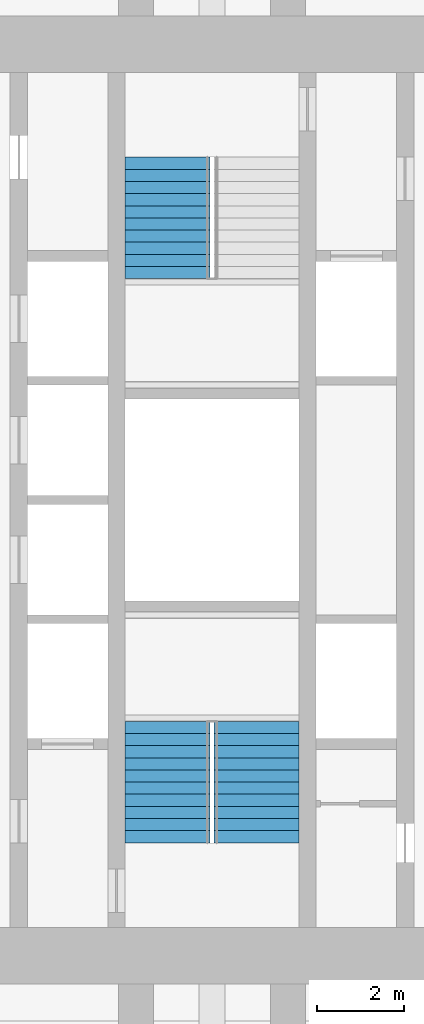
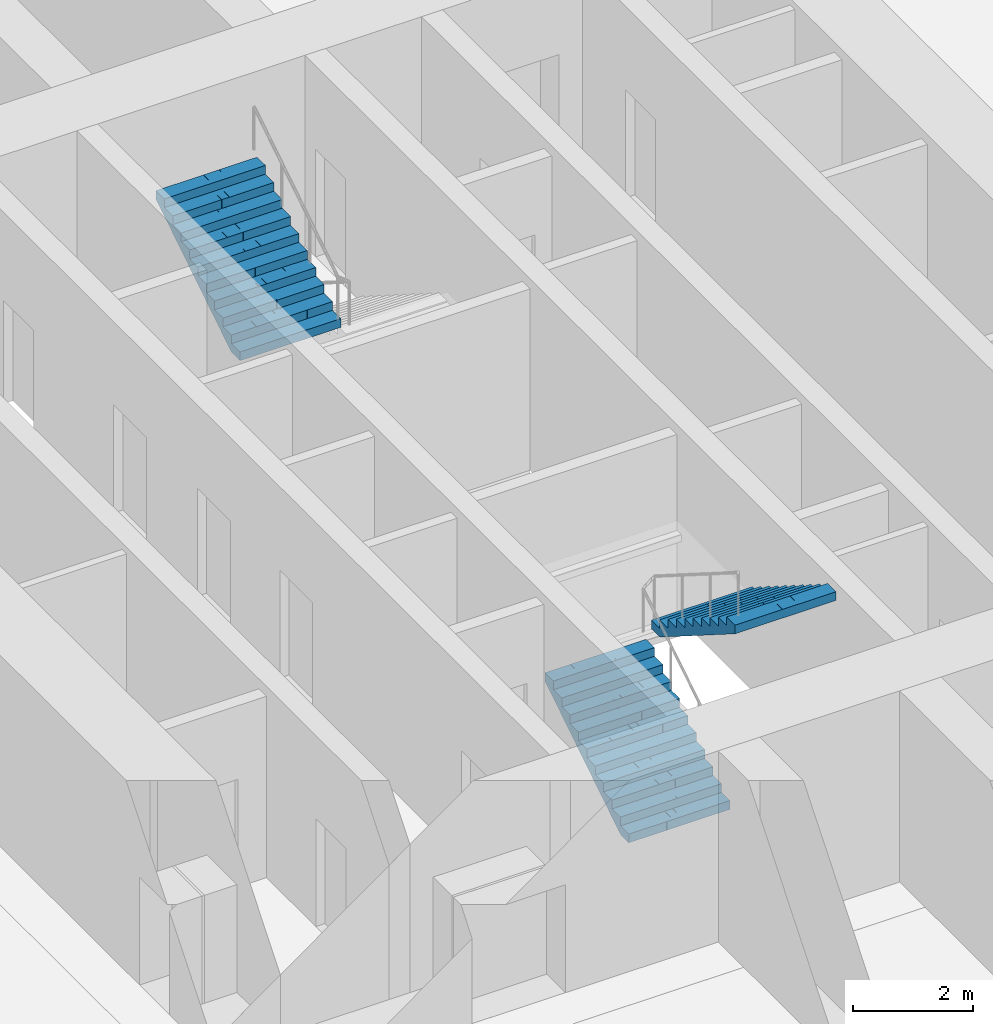
# One storey, part 18 of 20: 3 stair flights, 2 elements without a shape of their own.
"""IFC4 building model written with IfcOpenShell, lengths in metres."""

from ifc_helpers import new_model, si_unit, direction, frame, origin, place, context, subcontext, project, spatial, polyline, outline, extrude, material, type_object, element, aggregate, save


model = new_model("IFC4")

# Units and contexts
model_context = context("Model", 3, precision=1e-05, world=origin(), true_north=direction((0.0, 1.0)))
body_context = subcontext(model_context, "Body", "Model", "MODEL_VIEW")
ifc_project = project(units=[si_unit("LENGTHUNIT", "METRE"), si_unit("AREAUNIT", "SQUARE_METRE"), si_unit("VOLUMEUNIT", "CUBIC_METRE"), si_unit("PLANEANGLEUNIT", "RADIAN"), si_unit("MASSUNIT", "GRAM", prefix="KILO")], contexts=[model_context])

# Site, building, storey
site_placement = place(None, origin())
site = spatial("IfcSite", under=ifc_project, at=site_placement, CompositionType="ELEMENT")
building_placement = place(site_placement, origin())
building = spatial("IfcBuilding", under=site, at=building_placement, Name="Mizan Broadcast Tower", CompositionType="ELEMENT")
storey_placement = place(building_placement, frame((0.0, 0.0, 135.89990234375)))
storey = spatial("IfcBuildingStorey", under=building, at=storey_placement, Name="L30", CompositionType="ELEMENT", Elevation=135.89990234375)

# Stair, stair flights
ifc_material_1 = material(Name="Concrete C40/50", Category="concrete")
stair_type = type_object("IfcStairType", Name="EXIT STAIR", PredefinedType="HALF_TURN_STAIR", material=ifc_material_1)
stair_1_placement = place(storey_placement, origin())
stair_1 = element("IfcStair", 1, at=stair_1_placement, inside=storey, type_object=stair_type, Name="Stair A L30", PredefinedType="HALF_TURN_STAIR")
ifc_material_2 = material(Name="Concrete C40/50", Category="concrete")
stair_flight_type = type_object("IfcStairFlightType", Name="EXIT STAIR FLIGHT", PredefinedType="STRAIGHT", material=ifc_material_2)
stair_flight_1_placement = place(storey_placement, frame((-1.02490234375, -7.89990234375, 0.0), z_axis=(0.0, 0.0, 1.0), x_axis=(0.0, 1.0, 0.0)))
stair_flight_1 = element("IfcStairFlight", 2, at=stair_flight_1_placement, type_object=stair_flight_type, Name="A flight 1", NumberOfRisers=11, NumberOfTreads=10, PredefinedType="STRAIGHT", RiserHeight=0.177272727, TreadLength=0.28, context=body_context, shape_type="SweptSolid", body=[
    extrude(outline(polyline([(0.0, 0.0), (0.0, 0.17724609375), (0.280029296875, 0.17724609375), (0.280029296875, 0.3544921875), (0.56005859375, 0.3544921875), (0.56005859375, 0.53173828125), (0.840087890625, 0.53173828125), (0.840087890625, 0.708984375), (1.1201171875, 0.708984375), (1.1201171875, 0.886474609375), (1.39990234375, 0.886474609375), (1.39990234375, 1.063720703125), (1.679931640625, 1.063720703125), (1.679931640625, 1.240966796875), (1.9599609375, 1.240966796875), (1.9599609375, 1.418212890625), (2.239990234375, 1.418212890625), (2.239990234375, 1.595458984375), (2.52001953125, 1.595458984375), (2.52001953125, 1.772705078125), (2.800048828125, 1.772705078125), (2.800048828125, 1.949951171875), (2.800048828125, 1.59521484375), (0.2802734375, 0.0), (0.0, 0.0)])), frame((0.0, 0.97509765625, 0.0), z_axis=(0.0, -1.0, 0.0), x_axis=(1.0, 0.0, 0.0)), (0.0, 0.0, 1.0), 0.4873046875),
    extrude(outline(polyline([(0.0, 0.0), (0.0, 0.17724609375), (0.280029296875, 0.17724609375), (0.280029296875, 0.3544921875), (0.56005859375, 0.3544921875), (0.56005859375, 0.53173828125), (0.840087890625, 0.53173828125), (0.840087890625, 0.708984375), (1.1201171875, 0.708984375), (1.1201171875, 0.886474609375), (1.39990234375, 0.886474609375), (1.39990234375, 1.063720703125), (1.679931640625, 1.063720703125), (1.679931640625, 1.240966796875), (1.9599609375, 1.240966796875), (1.9599609375, 1.418212890625), (2.239990234375, 1.418212890625), (2.239990234375, 1.595458984375), (2.52001953125, 1.595458984375), (2.52001953125, 1.772705078125), (2.800048828125, 1.772705078125), (2.800048828125, 1.949951171875), (2.800048828125, 1.59521484375), (0.2802734375, 0.0), (0.0, 0.0)])), frame((0.0, 0.4873046875, 0.0), z_axis=(0.0, -1.0, 0.0), x_axis=(1.0, 0.0, 0.0)), (0.0, 0.0, 1.0), 0.2431640625),
    extrude(outline(polyline([(0.0, 0.0), (0.0, 0.17724609375), (0.280029296875, 0.17724609375), (0.280029296875, 0.3544921875), (0.56005859375, 0.3544921875), (0.56005859375, 0.53173828125), (0.840087890625, 0.53173828125), (0.840087890625, 0.708984375), (1.1201171875, 0.708984375), (1.1201171875, 0.886474609375), (1.39990234375, 0.886474609375), (1.39990234375, 1.063720703125), (1.679931640625, 1.063720703125), (1.679931640625, 1.240966796875), (1.9599609375, 1.240966796875), (1.9599609375, 1.418212890625), (2.239990234375, 1.418212890625), (2.239990234375, 1.595458984375), (2.52001953125, 1.595458984375), (2.52001953125, 1.772705078125), (2.800048828125, 1.772705078125), (2.800048828125, 1.949951171875), (2.800048828125, 1.59521484375), (0.2802734375, 0.0), (0.0, 0.0)])), frame((0.0, 0.24365234375, 0.0), z_axis=(0.0, -1.0, 0.0), x_axis=(1.0, 0.0, 0.0)), (0.0, 0.0, 1.0), 0.121337890625),
    extrude(outline(polyline([(0.0, 0.0), (0.0, 0.17724609375), (0.280029296875, 0.17724609375), (0.280029296875, 0.3544921875), (0.56005859375, 0.3544921875), (0.56005859375, 0.53173828125), (0.840087890625, 0.53173828125), (0.840087890625, 0.708984375), (1.1201171875, 0.708984375), (1.1201171875, 0.886474609375), (1.39990234375, 0.886474609375), (1.39990234375, 1.063720703125), (1.679931640625, 1.063720703125), (1.679931640625, 1.240966796875), (1.9599609375, 1.240966796875), (1.9599609375, 1.418212890625), (2.239990234375, 1.418212890625), (2.239990234375, 1.595458984375), (2.52001953125, 1.595458984375), (2.52001953125, 1.772705078125), (2.800048828125, 1.772705078125), (2.800048828125, 1.949951171875), (2.800048828125, 1.59521484375), (0.2802734375, 0.0), (0.0, 0.0)])), frame((0.0, 0.121826171875, 0.0), z_axis=(0.0, -1.0, 0.0), x_axis=(1.0, 0.0, 0.0)), (0.0, 0.0, 1.0), 0.060546875),
    extrude(outline(polyline([(0.0, 0.0), (0.0, 0.17724609375), (0.280029296875, 0.17724609375), (0.280029296875, 0.3544921875), (0.56005859375, 0.3544921875), (0.56005859375, 0.53173828125), (0.840087890625, 0.53173828125), (0.840087890625, 0.708984375), (1.1201171875, 0.708984375), (1.1201171875, 0.886474609375), (1.39990234375, 0.886474609375), (1.39990234375, 1.063720703125), (1.679931640625, 1.063720703125), (1.679931640625, 1.240966796875), (1.9599609375, 1.240966796875), (1.9599609375, 1.418212890625), (2.239990234375, 1.418212890625), (2.239990234375, 1.595458984375), (2.52001953125, 1.595458984375), (2.52001953125, 1.772705078125), (2.800048828125, 1.772705078125), (2.800048828125, 1.949951171875), (2.800048828125, 1.59521484375), (0.2802734375, 0.0), (0.0, 0.0)])), frame((0.0, 0.060791015625, 0.0), z_axis=(0.0, -1.0, 0.0), x_axis=(1.0, 0.0, 0.0)), (0.0, 0.0, 1.0), 0.030029296875),
    extrude(outline(polyline([(0.0, 0.0), (0.0, 0.17724609375), (0.280029296875, 0.17724609375), (0.280029296875, 0.3544921875), (0.56005859375, 0.3544921875), (0.56005859375, 0.53173828125), (0.840087890625, 0.53173828125), (0.840087890625, 0.708984375), (1.1201171875, 0.708984375), (1.1201171875, 0.886474609375), (1.39990234375, 0.886474609375), (1.39990234375, 1.063720703125), (1.679931640625, 1.063720703125), (1.679931640625, 1.240966796875), (1.9599609375, 1.240966796875), (1.9599609375, 1.418212890625), (2.239990234375, 1.418212890625), (2.239990234375, 1.595458984375), (2.52001953125, 1.595458984375), (2.52001953125, 1.772705078125), (2.800048828125, 1.772705078125), (2.800048828125, 1.949951171875), (2.800048828125, 1.59521484375), (0.2802734375, 0.0), (0.0, 0.0)])), frame((0.0, 0.0302734375, 0.0), z_axis=(0.0, -1.0, 0.0), x_axis=(1.0, 0.0, 0.0)), (0.0, 0.0, 1.0), 0.060302734375),
    extrude(outline(polyline([(0.0, 0.0), (0.0, 0.17724609375), (0.280029296875, 0.17724609375), (0.280029296875, 0.3544921875), (0.56005859375, 0.3544921875), (0.56005859375, 0.53173828125), (0.840087890625, 0.53173828125), (0.840087890625, 0.708984375), (1.1201171875, 0.708984375), (1.1201171875, 0.886474609375), (1.39990234375, 0.886474609375), (1.39990234375, 1.063720703125), (1.679931640625, 1.063720703125), (1.679931640625, 1.240966796875), (1.9599609375, 1.240966796875), (1.9599609375, 1.418212890625), (2.239990234375, 1.418212890625), (2.239990234375, 1.595458984375), (2.52001953125, 1.595458984375), (2.52001953125, 1.772705078125), (2.800048828125, 1.772705078125), (2.800048828125, 1.949951171875), (2.800048828125, 1.59521484375), (0.2802734375, 0.0), (0.0, 0.0)])), frame((0.0, -0.030517578125, 0.0), z_axis=(0.0, -1.0, 0.0), x_axis=(1.0, 0.0, 0.0)), (0.0, 0.0, 1.0), 0.030029296875),
    extrude(outline(polyline([(0.0, 0.0), (0.0, 0.17724609375), (0.280029296875, 0.17724609375), (0.280029296875, 0.3544921875), (0.56005859375, 0.3544921875), (0.56005859375, 0.53173828125), (0.840087890625, 0.53173828125), (0.840087890625, 0.708984375), (1.1201171875, 0.708984375), (1.1201171875, 0.886474609375), (1.39990234375, 0.886474609375), (1.39990234375, 1.063720703125), (1.679931640625, 1.063720703125), (1.679931640625, 1.240966796875), (1.9599609375, 1.240966796875), (1.9599609375, 1.418212890625), (2.239990234375, 1.418212890625), (2.239990234375, 1.595458984375), (2.52001953125, 1.595458984375), (2.52001953125, 1.772705078125), (2.800048828125, 1.772705078125), (2.800048828125, 1.949951171875), (2.800048828125, 1.59521484375), (0.2802734375, 0.0), (0.0, 0.0)])), frame((0.0, -0.06103515625, 0.0), z_axis=(0.0, -1.0, 0.0), x_axis=(1.0, 0.0, 0.0)), (0.0, 0.0, 1.0), 0.060546875),
    extrude(outline(polyline([(0.0, 0.0), (0.0, 0.17724609375), (0.280029296875, 0.17724609375), (0.280029296875, 0.3544921875), (0.56005859375, 0.3544921875), (0.56005859375, 0.53173828125), (0.840087890625, 0.53173828125), (0.840087890625, 0.708984375), (1.1201171875, 0.708984375), (1.1201171875, 0.886474609375), (1.39990234375, 0.886474609375), (1.39990234375, 1.063720703125), (1.679931640625, 1.063720703125), (1.679931640625, 1.240966796875), (1.9599609375, 1.240966796875), (1.9599609375, 1.418212890625), (2.239990234375, 1.418212890625), (2.239990234375, 1.595458984375), (2.52001953125, 1.595458984375), (2.52001953125, 1.772705078125), (2.800048828125, 1.772705078125), (2.800048828125, 1.949951171875), (2.800048828125, 1.59521484375), (0.2802734375, 0.0), (0.0, 0.0)])), frame((0.0, -0.1220703125, 0.0), z_axis=(0.0, -1.0, 0.0), x_axis=(1.0, 0.0, 0.0)), (0.0, 0.0, 1.0), 0.121337890625),
    extrude(outline(polyline([(0.0, 0.0), (0.0, 0.17724609375), (0.280029296875, 0.17724609375), (0.280029296875, 0.3544921875), (0.56005859375, 0.3544921875), (0.56005859375, 0.53173828125), (0.840087890625, 0.53173828125), (0.840087890625, 0.708984375), (1.1201171875, 0.708984375), (1.1201171875, 0.886474609375), (1.39990234375, 0.886474609375), (1.39990234375, 1.063720703125), (1.679931640625, 1.063720703125), (1.679931640625, 1.240966796875), (1.9599609375, 1.240966796875), (1.9599609375, 1.418212890625), (2.239990234375, 1.418212890625), (2.239990234375, 1.595458984375), (2.52001953125, 1.595458984375), (2.52001953125, 1.772705078125), (2.800048828125, 1.772705078125), (2.800048828125, 1.949951171875), (2.800048828125, 1.59521484375), (0.2802734375, 0.0), (0.0, 0.0)])), frame((0.0, -0.243896484375, 0.0), z_axis=(0.0, -1.0, 0.0), x_axis=(1.0, 0.0, 0.0)), (0.0, 0.0, 1.0), 0.2431640625),
    extrude(outline(polyline([(0.0, 0.0), (0.0, 0.17724609375), (0.280029296875, 0.17724609375), (0.280029296875, 0.3544921875), (0.56005859375, 0.3544921875), (0.56005859375, 0.53173828125), (0.840087890625, 0.53173828125), (0.840087890625, 0.708984375), (1.1201171875, 0.708984375), (1.1201171875, 0.886474609375), (1.39990234375, 0.886474609375), (1.39990234375, 1.063720703125), (1.679931640625, 1.063720703125), (1.679931640625, 1.240966796875), (1.9599609375, 1.240966796875), (1.9599609375, 1.418212890625), (2.239990234375, 1.418212890625), (2.239990234375, 1.595458984375), (2.52001953125, 1.595458984375), (2.52001953125, 1.772705078125), (2.800048828125, 1.772705078125), (2.800048828125, 1.949951171875), (2.800048828125, 1.59521484375), (0.2802734375, 0.0), (0.0, 0.0)])), frame((0.0, -0.487548828125, 0.0), z_axis=(0.0, -1.0, 0.0), x_axis=(1.0, 0.0, 0.0)), (0.0, 0.0, 1.0), 0.4873046875),
])
stair_flight_2_placement = place(storey_placement, frame((1.02490234375, -5.10009765625, 1.9501953125), z_axis=(0.0, 0.0, 1.0), x_axis=(0.0, -1.0, 0.0)))
stair_flight_2 = element("IfcStairFlight", 3, at=stair_flight_2_placement, type_object=stair_flight_type, Name="A flight 2", NumberOfRisers=11, NumberOfTreads=10, PredefinedType="STRAIGHT", RiserHeight=0.177272727, TreadLength=0.28, context=body_context, shape_type="SweptSolid", body=[
    extrude(outline(polyline([(0.0, 0.0), (0.0, 0.17724609375), (0.280029296875, 0.17724609375), (0.280029296875, 0.3544921875), (0.56005859375, 0.3544921875), (0.56005859375, 0.53173828125), (0.840087890625, 0.53173828125), (0.840087890625, 0.708984375), (1.1201171875, 0.708984375), (1.1201171875, 0.886474609375), (1.39990234375, 0.886474609375), (1.39990234375, 1.063720703125), (1.679931640625, 1.063720703125), (1.679931640625, 1.240966796875), (1.9599609375, 1.240966796875), (1.9599609375, 1.418212890625), (2.239990234375, 1.418212890625), (2.239990234375, 1.595458984375), (2.52001953125, 1.595458984375), (2.52001953125, 1.772705078125), (2.800048828125, 1.772705078125), (2.800048828125, 1.949951171875), (2.800048828125, 1.59521484375), (0.2802734375, 0.0), (0.0, 0.0)])), frame((0.0, 0.97509765625, 0.0), z_axis=(0.0, -1.0, 0.0), x_axis=(1.0, 0.0, 0.0)), (0.0, 0.0, 1.0), 0.4873046875),
    extrude(outline(polyline([(0.0, 0.0), (0.0, 0.17724609375), (0.280029296875, 0.17724609375), (0.280029296875, 0.3544921875), (0.56005859375, 0.3544921875), (0.56005859375, 0.53173828125), (0.840087890625, 0.53173828125), (0.840087890625, 0.708984375), (1.1201171875, 0.708984375), (1.1201171875, 0.886474609375), (1.39990234375, 0.886474609375), (1.39990234375, 1.063720703125), (1.679931640625, 1.063720703125), (1.679931640625, 1.240966796875), (1.9599609375, 1.240966796875), (1.9599609375, 1.418212890625), (2.239990234375, 1.418212890625), (2.239990234375, 1.595458984375), (2.52001953125, 1.595458984375), (2.52001953125, 1.772705078125), (2.800048828125, 1.772705078125), (2.800048828125, 1.949951171875), (2.800048828125, 1.59521484375), (0.2802734375, 0.0), (0.0, 0.0)])), frame((0.0, 0.4873046875, 0.0), z_axis=(0.0, -1.0, 0.0), x_axis=(1.0, 0.0, 0.0)), (0.0, 0.0, 1.0), 0.2431640625),
    extrude(outline(polyline([(0.0, 0.0), (0.0, 0.17724609375), (0.280029296875, 0.17724609375), (0.280029296875, 0.3544921875), (0.56005859375, 0.3544921875), (0.56005859375, 0.53173828125), (0.840087890625, 0.53173828125), (0.840087890625, 0.708984375), (1.1201171875, 0.708984375), (1.1201171875, 0.886474609375), (1.39990234375, 0.886474609375), (1.39990234375, 1.063720703125), (1.679931640625, 1.063720703125), (1.679931640625, 1.240966796875), (1.9599609375, 1.240966796875), (1.9599609375, 1.418212890625), (2.239990234375, 1.418212890625), (2.239990234375, 1.595458984375), (2.52001953125, 1.595458984375), (2.52001953125, 1.772705078125), (2.800048828125, 1.772705078125), (2.800048828125, 1.949951171875), (2.800048828125, 1.59521484375), (0.2802734375, 0.0), (0.0, 0.0)])), frame((0.0, 0.24365234375, 0.0), z_axis=(0.0, -1.0, 0.0), x_axis=(1.0, 0.0, 0.0)), (0.0, 0.0, 1.0), 0.121337890625),
    extrude(outline(polyline([(0.0, 0.0), (0.0, 0.17724609375), (0.280029296875, 0.17724609375), (0.280029296875, 0.3544921875), (0.56005859375, 0.3544921875), (0.56005859375, 0.53173828125), (0.840087890625, 0.53173828125), (0.840087890625, 0.708984375), (1.1201171875, 0.708984375), (1.1201171875, 0.886474609375), (1.39990234375, 0.886474609375), (1.39990234375, 1.063720703125), (1.679931640625, 1.063720703125), (1.679931640625, 1.240966796875), (1.9599609375, 1.240966796875), (1.9599609375, 1.418212890625), (2.239990234375, 1.418212890625), (2.239990234375, 1.595458984375), (2.52001953125, 1.595458984375), (2.52001953125, 1.772705078125), (2.800048828125, 1.772705078125), (2.800048828125, 1.949951171875), (2.800048828125, 1.59521484375), (0.2802734375, 0.0), (0.0, 0.0)])), frame((0.0, 0.121826171875, 0.0), z_axis=(0.0, -1.0, 0.0), x_axis=(1.0, 0.0, 0.0)), (0.0, 0.0, 1.0), 0.060546875),
    extrude(outline(polyline([(0.0, 0.0), (0.0, 0.17724609375), (0.280029296875, 0.17724609375), (0.280029296875, 0.3544921875), (0.56005859375, 0.3544921875), (0.56005859375, 0.53173828125), (0.840087890625, 0.53173828125), (0.840087890625, 0.708984375), (1.1201171875, 0.708984375), (1.1201171875, 0.886474609375), (1.39990234375, 0.886474609375), (1.39990234375, 1.063720703125), (1.679931640625, 1.063720703125), (1.679931640625, 1.240966796875), (1.9599609375, 1.240966796875), (1.9599609375, 1.418212890625), (2.239990234375, 1.418212890625), (2.239990234375, 1.595458984375), (2.52001953125, 1.595458984375), (2.52001953125, 1.772705078125), (2.800048828125, 1.772705078125), (2.800048828125, 1.949951171875), (2.800048828125, 1.59521484375), (0.2802734375, 0.0), (0.0, 0.0)])), frame((0.0, 0.060791015625, 0.0), z_axis=(0.0, -1.0, 0.0), x_axis=(1.0, 0.0, 0.0)), (0.0, 0.0, 1.0), 0.030029296875),
    extrude(outline(polyline([(0.0, 0.0), (0.0, 0.17724609375), (0.280029296875, 0.17724609375), (0.280029296875, 0.3544921875), (0.56005859375, 0.3544921875), (0.56005859375, 0.53173828125), (0.840087890625, 0.53173828125), (0.840087890625, 0.708984375), (1.1201171875, 0.708984375), (1.1201171875, 0.886474609375), (1.39990234375, 0.886474609375), (1.39990234375, 1.063720703125), (1.679931640625, 1.063720703125), (1.679931640625, 1.240966796875), (1.9599609375, 1.240966796875), (1.9599609375, 1.418212890625), (2.239990234375, 1.418212890625), (2.239990234375, 1.595458984375), (2.52001953125, 1.595458984375), (2.52001953125, 1.772705078125), (2.800048828125, 1.772705078125), (2.800048828125, 1.949951171875), (2.800048828125, 1.59521484375), (0.2802734375, 0.0), (0.0, 0.0)])), frame((0.0, 0.0302734375, 0.0), z_axis=(0.0, -1.0, 0.0), x_axis=(1.0, 0.0, 0.0)), (0.0, 0.0, 1.0), 0.060302734375),
    extrude(outline(polyline([(0.0, 0.0), (0.0, 0.17724609375), (0.280029296875, 0.17724609375), (0.280029296875, 0.3544921875), (0.56005859375, 0.3544921875), (0.56005859375, 0.53173828125), (0.840087890625, 0.53173828125), (0.840087890625, 0.708984375), (1.1201171875, 0.708984375), (1.1201171875, 0.886474609375), (1.39990234375, 0.886474609375), (1.39990234375, 1.063720703125), (1.679931640625, 1.063720703125), (1.679931640625, 1.240966796875), (1.9599609375, 1.240966796875), (1.9599609375, 1.418212890625), (2.239990234375, 1.418212890625), (2.239990234375, 1.595458984375), (2.52001953125, 1.595458984375), (2.52001953125, 1.772705078125), (2.800048828125, 1.772705078125), (2.800048828125, 1.949951171875), (2.800048828125, 1.59521484375), (0.2802734375, 0.0), (0.0, 0.0)])), frame((0.0, -0.030517578125, 0.0), z_axis=(0.0, -1.0, 0.0), x_axis=(1.0, 0.0, 0.0)), (0.0, 0.0, 1.0), 0.030029296875),
    extrude(outline(polyline([(0.0, 0.0), (0.0, 0.17724609375), (0.280029296875, 0.17724609375), (0.280029296875, 0.3544921875), (0.56005859375, 0.3544921875), (0.56005859375, 0.53173828125), (0.840087890625, 0.53173828125), (0.840087890625, 0.708984375), (1.1201171875, 0.708984375), (1.1201171875, 0.886474609375), (1.39990234375, 0.886474609375), (1.39990234375, 1.063720703125), (1.679931640625, 1.063720703125), (1.679931640625, 1.240966796875), (1.9599609375, 1.240966796875), (1.9599609375, 1.418212890625), (2.239990234375, 1.418212890625), (2.239990234375, 1.595458984375), (2.52001953125, 1.595458984375), (2.52001953125, 1.772705078125), (2.800048828125, 1.772705078125), (2.800048828125, 1.949951171875), (2.800048828125, 1.59521484375), (0.2802734375, 0.0), (0.0, 0.0)])), frame((0.0, -0.06103515625, 0.0), z_axis=(0.0, -1.0, 0.0), x_axis=(1.0, 0.0, 0.0)), (0.0, 0.0, 1.0), 0.060546875),
    extrude(outline(polyline([(0.0, 0.0), (0.0, 0.17724609375), (0.280029296875, 0.17724609375), (0.280029296875, 0.3544921875), (0.56005859375, 0.3544921875), (0.56005859375, 0.53173828125), (0.840087890625, 0.53173828125), (0.840087890625, 0.708984375), (1.1201171875, 0.708984375), (1.1201171875, 0.886474609375), (1.39990234375, 0.886474609375), (1.39990234375, 1.063720703125), (1.679931640625, 1.063720703125), (1.679931640625, 1.240966796875), (1.9599609375, 1.240966796875), (1.9599609375, 1.418212890625), (2.239990234375, 1.418212890625), (2.239990234375, 1.595458984375), (2.52001953125, 1.595458984375), (2.52001953125, 1.772705078125), (2.800048828125, 1.772705078125), (2.800048828125, 1.949951171875), (2.800048828125, 1.59521484375), (0.2802734375, 0.0), (0.0, 0.0)])), frame((0.0, -0.1220703125, 0.0), z_axis=(0.0, -1.0, 0.0), x_axis=(1.0, 0.0, 0.0)), (0.0, 0.0, 1.0), 0.121337890625),
    extrude(outline(polyline([(0.0, 0.0), (0.0, 0.17724609375), (0.280029296875, 0.17724609375), (0.280029296875, 0.3544921875), (0.56005859375, 0.3544921875), (0.56005859375, 0.53173828125), (0.840087890625, 0.53173828125), (0.840087890625, 0.708984375), (1.1201171875, 0.708984375), (1.1201171875, 0.886474609375), (1.39990234375, 0.886474609375), (1.39990234375, 1.063720703125), (1.679931640625, 1.063720703125), (1.679931640625, 1.240966796875), (1.9599609375, 1.240966796875), (1.9599609375, 1.418212890625), (2.239990234375, 1.418212890625), (2.239990234375, 1.595458984375), (2.52001953125, 1.595458984375), (2.52001953125, 1.772705078125), (2.800048828125, 1.772705078125), (2.800048828125, 1.949951171875), (2.800048828125, 1.59521484375), (0.2802734375, 0.0), (0.0, 0.0)])), frame((0.0, -0.243896484375, 0.0), z_axis=(0.0, -1.0, 0.0), x_axis=(1.0, 0.0, 0.0)), (0.0, 0.0, 1.0), 0.2431640625),
    extrude(outline(polyline([(0.0, 0.0), (0.0, 0.17724609375), (0.280029296875, 0.17724609375), (0.280029296875, 0.3544921875), (0.56005859375, 0.3544921875), (0.56005859375, 0.53173828125), (0.840087890625, 0.53173828125), (0.840087890625, 0.708984375), (1.1201171875, 0.708984375), (1.1201171875, 0.886474609375), (1.39990234375, 0.886474609375), (1.39990234375, 1.063720703125), (1.679931640625, 1.063720703125), (1.679931640625, 1.240966796875), (1.9599609375, 1.240966796875), (1.9599609375, 1.418212890625), (2.239990234375, 1.418212890625), (2.239990234375, 1.595458984375), (2.52001953125, 1.595458984375), (2.52001953125, 1.772705078125), (2.800048828125, 1.772705078125), (2.800048828125, 1.949951171875), (2.800048828125, 1.59521484375), (0.2802734375, 0.0), (0.0, 0.0)])), frame((0.0, -0.487548828125, 0.0), z_axis=(0.0, -1.0, 0.0), x_axis=(1.0, 0.0, 0.0)), (0.0, 0.0, 1.0), 0.4873046875),
])
aggregate(stair_1, [stair_flight_1, stair_flight_2])

# Stair, stair flight
stair_2_placement = place(storey_placement, origin())
stair_2 = element("IfcStair", 4, at=stair_2_placement, inside=storey, type_object=stair_type, Name="Stair B L30", PredefinedType="HALF_TURN_STAIR")
stair_flight_3_placement = place(storey_placement, frame((-1.02490234375, 5.10009765625, 1.9501953125), z_axis=(0.0, 0.0, 1.0), x_axis=(0.0, 1.0, 0.0)))
stair_flight_3 = element("IfcStairFlight", 5, at=stair_flight_3_placement, type_object=stair_flight_type, Name="B flight 2", NumberOfRisers=11, NumberOfTreads=10, PredefinedType="STRAIGHT", RiserHeight=0.177272727, TreadLength=0.28, context=body_context, shape_type="SweptSolid", body=[
    extrude(outline(polyline([(0.0, 0.0), (0.0, 0.17724609375), (0.280029296875, 0.17724609375), (0.280029296875, 0.3544921875), (0.56005859375, 0.3544921875), (0.56005859375, 0.53173828125), (0.840087890625, 0.53173828125), (0.840087890625, 0.708984375), (1.1201171875, 0.708984375), (1.1201171875, 0.886474609375), (1.39990234375, 0.886474609375), (1.39990234375, 1.063720703125), (1.679931640625, 1.063720703125), (1.679931640625, 1.240966796875), (1.9599609375, 1.240966796875), (1.9599609375, 1.418212890625), (2.239990234375, 1.418212890625), (2.239990234375, 1.595458984375), (2.52001953125, 1.595458984375), (2.52001953125, 1.772705078125), (2.800048828125, 1.772705078125), (2.800048828125, 1.949951171875), (2.800048828125, 1.59521484375), (0.2802734375, 0.0), (0.0, 0.0)])), frame((0.0, 0.97509765625, 0.0), z_axis=(0.0, -1.0, 0.0), x_axis=(1.0, 0.0, 0.0)), (0.0, 0.0, 1.0), 0.4873046875),
    extrude(outline(polyline([(0.0, 0.0), (0.0, 0.17724609375), (0.280029296875, 0.17724609375), (0.280029296875, 0.3544921875), (0.56005859375, 0.3544921875), (0.56005859375, 0.53173828125), (0.840087890625, 0.53173828125), (0.840087890625, 0.708984375), (1.1201171875, 0.708984375), (1.1201171875, 0.886474609375), (1.39990234375, 0.886474609375), (1.39990234375, 1.063720703125), (1.679931640625, 1.063720703125), (1.679931640625, 1.240966796875), (1.9599609375, 1.240966796875), (1.9599609375, 1.418212890625), (2.239990234375, 1.418212890625), (2.239990234375, 1.595458984375), (2.52001953125, 1.595458984375), (2.52001953125, 1.772705078125), (2.800048828125, 1.772705078125), (2.800048828125, 1.949951171875), (2.800048828125, 1.59521484375), (0.2802734375, 0.0), (0.0, 0.0)])), frame((0.0, 0.4873046875, 0.0), z_axis=(0.0, -1.0, 0.0), x_axis=(1.0, 0.0, 0.0)), (0.0, 0.0, 1.0), 0.2431640625),
    extrude(outline(polyline([(0.0, 0.0), (0.0, 0.17724609375), (0.280029296875, 0.17724609375), (0.280029296875, 0.3544921875), (0.56005859375, 0.3544921875), (0.56005859375, 0.53173828125), (0.840087890625, 0.53173828125), (0.840087890625, 0.708984375), (1.1201171875, 0.708984375), (1.1201171875, 0.886474609375), (1.39990234375, 0.886474609375), (1.39990234375, 1.063720703125), (1.679931640625, 1.063720703125), (1.679931640625, 1.240966796875), (1.9599609375, 1.240966796875), (1.9599609375, 1.418212890625), (2.239990234375, 1.418212890625), (2.239990234375, 1.595458984375), (2.52001953125, 1.595458984375), (2.52001953125, 1.772705078125), (2.800048828125, 1.772705078125), (2.800048828125, 1.949951171875), (2.800048828125, 1.59521484375), (0.2802734375, 0.0), (0.0, 0.0)])), frame((0.0, 0.24365234375, 0.0), z_axis=(0.0, -1.0, 0.0), x_axis=(1.0, 0.0, 0.0)), (0.0, 0.0, 1.0), 0.121337890625),
    extrude(outline(polyline([(0.0, 0.0), (0.0, 0.17724609375), (0.280029296875, 0.17724609375), (0.280029296875, 0.3544921875), (0.56005859375, 0.3544921875), (0.56005859375, 0.53173828125), (0.840087890625, 0.53173828125), (0.840087890625, 0.708984375), (1.1201171875, 0.708984375), (1.1201171875, 0.886474609375), (1.39990234375, 0.886474609375), (1.39990234375, 1.063720703125), (1.679931640625, 1.063720703125), (1.679931640625, 1.240966796875), (1.9599609375, 1.240966796875), (1.9599609375, 1.418212890625), (2.239990234375, 1.418212890625), (2.239990234375, 1.595458984375), (2.52001953125, 1.595458984375), (2.52001953125, 1.772705078125), (2.800048828125, 1.772705078125), (2.800048828125, 1.949951171875), (2.800048828125, 1.59521484375), (0.2802734375, 0.0), (0.0, 0.0)])), frame((0.0, 0.121826171875, 0.0), z_axis=(0.0, -1.0, 0.0), x_axis=(1.0, 0.0, 0.0)), (0.0, 0.0, 1.0), 0.060546875),
    extrude(outline(polyline([(0.0, 0.0), (0.0, 0.17724609375), (0.280029296875, 0.17724609375), (0.280029296875, 0.3544921875), (0.56005859375, 0.3544921875), (0.56005859375, 0.53173828125), (0.840087890625, 0.53173828125), (0.840087890625, 0.708984375), (1.1201171875, 0.708984375), (1.1201171875, 0.886474609375), (1.39990234375, 0.886474609375), (1.39990234375, 1.063720703125), (1.679931640625, 1.063720703125), (1.679931640625, 1.240966796875), (1.9599609375, 1.240966796875), (1.9599609375, 1.418212890625), (2.239990234375, 1.418212890625), (2.239990234375, 1.595458984375), (2.52001953125, 1.595458984375), (2.52001953125, 1.772705078125), (2.800048828125, 1.772705078125), (2.800048828125, 1.949951171875), (2.800048828125, 1.59521484375), (0.2802734375, 0.0), (0.0, 0.0)])), frame((0.0, 0.060791015625, 0.0), z_axis=(0.0, -1.0, 0.0), x_axis=(1.0, 0.0, 0.0)), (0.0, 0.0, 1.0), 0.030029296875),
    extrude(outline(polyline([(0.0, 0.0), (0.0, 0.17724609375), (0.280029296875, 0.17724609375), (0.280029296875, 0.3544921875), (0.56005859375, 0.3544921875), (0.56005859375, 0.53173828125), (0.840087890625, 0.53173828125), (0.840087890625, 0.708984375), (1.1201171875, 0.708984375), (1.1201171875, 0.886474609375), (1.39990234375, 0.886474609375), (1.39990234375, 1.063720703125), (1.679931640625, 1.063720703125), (1.679931640625, 1.240966796875), (1.9599609375, 1.240966796875), (1.9599609375, 1.418212890625), (2.239990234375, 1.418212890625), (2.239990234375, 1.595458984375), (2.52001953125, 1.595458984375), (2.52001953125, 1.772705078125), (2.800048828125, 1.772705078125), (2.800048828125, 1.949951171875), (2.800048828125, 1.59521484375), (0.2802734375, 0.0), (0.0, 0.0)])), frame((0.0, 0.0302734375, 0.0), z_axis=(0.0, -1.0, 0.0), x_axis=(1.0, 0.0, 0.0)), (0.0, 0.0, 1.0), 0.060302734375),
    extrude(outline(polyline([(0.0, 0.0), (0.0, 0.17724609375), (0.280029296875, 0.17724609375), (0.280029296875, 0.3544921875), (0.56005859375, 0.3544921875), (0.56005859375, 0.53173828125), (0.840087890625, 0.53173828125), (0.840087890625, 0.708984375), (1.1201171875, 0.708984375), (1.1201171875, 0.886474609375), (1.39990234375, 0.886474609375), (1.39990234375, 1.063720703125), (1.679931640625, 1.063720703125), (1.679931640625, 1.240966796875), (1.9599609375, 1.240966796875), (1.9599609375, 1.418212890625), (2.239990234375, 1.418212890625), (2.239990234375, 1.595458984375), (2.52001953125, 1.595458984375), (2.52001953125, 1.772705078125), (2.800048828125, 1.772705078125), (2.800048828125, 1.949951171875), (2.800048828125, 1.59521484375), (0.2802734375, 0.0), (0.0, 0.0)])), frame((0.0, -0.030517578125, 0.0), z_axis=(0.0, -1.0, 0.0), x_axis=(1.0, 0.0, 0.0)), (0.0, 0.0, 1.0), 0.030029296875),
    extrude(outline(polyline([(0.0, 0.0), (0.0, 0.17724609375), (0.280029296875, 0.17724609375), (0.280029296875, 0.3544921875), (0.56005859375, 0.3544921875), (0.56005859375, 0.53173828125), (0.840087890625, 0.53173828125), (0.840087890625, 0.708984375), (1.1201171875, 0.708984375), (1.1201171875, 0.886474609375), (1.39990234375, 0.886474609375), (1.39990234375, 1.063720703125), (1.679931640625, 1.063720703125), (1.679931640625, 1.240966796875), (1.9599609375, 1.240966796875), (1.9599609375, 1.418212890625), (2.239990234375, 1.418212890625), (2.239990234375, 1.595458984375), (2.52001953125, 1.595458984375), (2.52001953125, 1.772705078125), (2.800048828125, 1.772705078125), (2.800048828125, 1.949951171875), (2.800048828125, 1.59521484375), (0.2802734375, 0.0), (0.0, 0.0)])), frame((0.0, -0.06103515625, 0.0), z_axis=(0.0, -1.0, 0.0), x_axis=(1.0, 0.0, 0.0)), (0.0, 0.0, 1.0), 0.060546875),
    extrude(outline(polyline([(0.0, 0.0), (0.0, 0.17724609375), (0.280029296875, 0.17724609375), (0.280029296875, 0.3544921875), (0.56005859375, 0.3544921875), (0.56005859375, 0.53173828125), (0.840087890625, 0.53173828125), (0.840087890625, 0.708984375), (1.1201171875, 0.708984375), (1.1201171875, 0.886474609375), (1.39990234375, 0.886474609375), (1.39990234375, 1.063720703125), (1.679931640625, 1.063720703125), (1.679931640625, 1.240966796875), (1.9599609375, 1.240966796875), (1.9599609375, 1.418212890625), (2.239990234375, 1.418212890625), (2.239990234375, 1.595458984375), (2.52001953125, 1.595458984375), (2.52001953125, 1.772705078125), (2.800048828125, 1.772705078125), (2.800048828125, 1.949951171875), (2.800048828125, 1.59521484375), (0.2802734375, 0.0), (0.0, 0.0)])), frame((0.0, -0.1220703125, 0.0), z_axis=(0.0, -1.0, 0.0), x_axis=(1.0, 0.0, 0.0)), (0.0, 0.0, 1.0), 0.121337890625),
    extrude(outline(polyline([(0.0, 0.0), (0.0, 0.17724609375), (0.280029296875, 0.17724609375), (0.280029296875, 0.3544921875), (0.56005859375, 0.3544921875), (0.56005859375, 0.53173828125), (0.840087890625, 0.53173828125), (0.840087890625, 0.708984375), (1.1201171875, 0.708984375), (1.1201171875, 0.886474609375), (1.39990234375, 0.886474609375), (1.39990234375, 1.063720703125), (1.679931640625, 1.063720703125), (1.679931640625, 1.240966796875), (1.9599609375, 1.240966796875), (1.9599609375, 1.418212890625), (2.239990234375, 1.418212890625), (2.239990234375, 1.595458984375), (2.52001953125, 1.595458984375), (2.52001953125, 1.772705078125), (2.800048828125, 1.772705078125), (2.800048828125, 1.949951171875), (2.800048828125, 1.59521484375), (0.2802734375, 0.0), (0.0, 0.0)])), frame((0.0, -0.243896484375, 0.0), z_axis=(0.0, -1.0, 0.0), x_axis=(1.0, 0.0, 0.0)), (0.0, 0.0, 1.0), 0.2431640625),
    extrude(outline(polyline([(0.0, 0.0), (0.0, 0.17724609375), (0.280029296875, 0.17724609375), (0.280029296875, 0.3544921875), (0.56005859375, 0.3544921875), (0.56005859375, 0.53173828125), (0.840087890625, 0.53173828125), (0.840087890625, 0.708984375), (1.1201171875, 0.708984375), (1.1201171875, 0.886474609375), (1.39990234375, 0.886474609375), (1.39990234375, 1.063720703125), (1.679931640625, 1.063720703125), (1.679931640625, 1.240966796875), (1.9599609375, 1.240966796875), (1.9599609375, 1.418212890625), (2.239990234375, 1.418212890625), (2.239990234375, 1.595458984375), (2.52001953125, 1.595458984375), (2.52001953125, 1.772705078125), (2.800048828125, 1.772705078125), (2.800048828125, 1.949951171875), (2.800048828125, 1.59521484375), (0.2802734375, 0.0), (0.0, 0.0)])), frame((0.0, -0.487548828125, 0.0), z_axis=(0.0, -1.0, 0.0), x_axis=(1.0, 0.0, 0.0)), (0.0, 0.0, 1.0), 0.4873046875),
])
aggregate(stair_2, [stair_flight_3])

save(model, "model.ifc")
